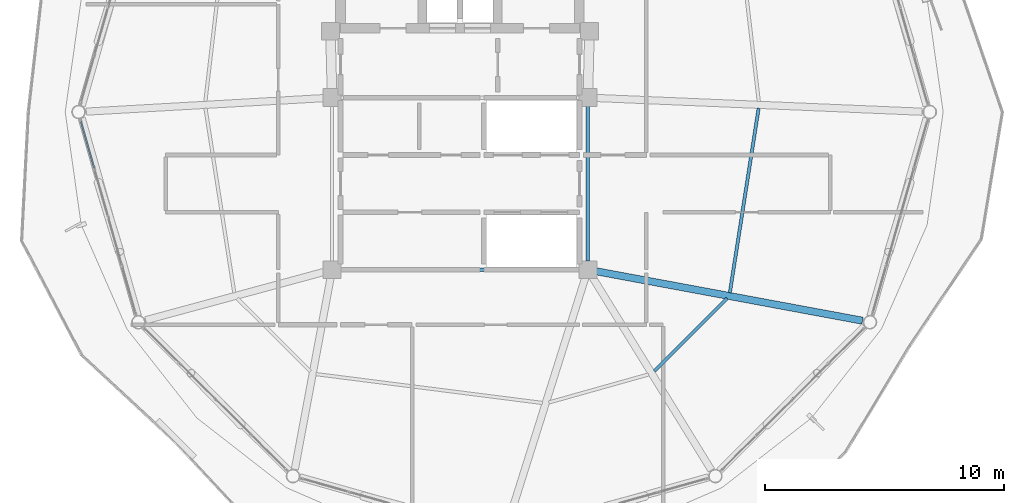
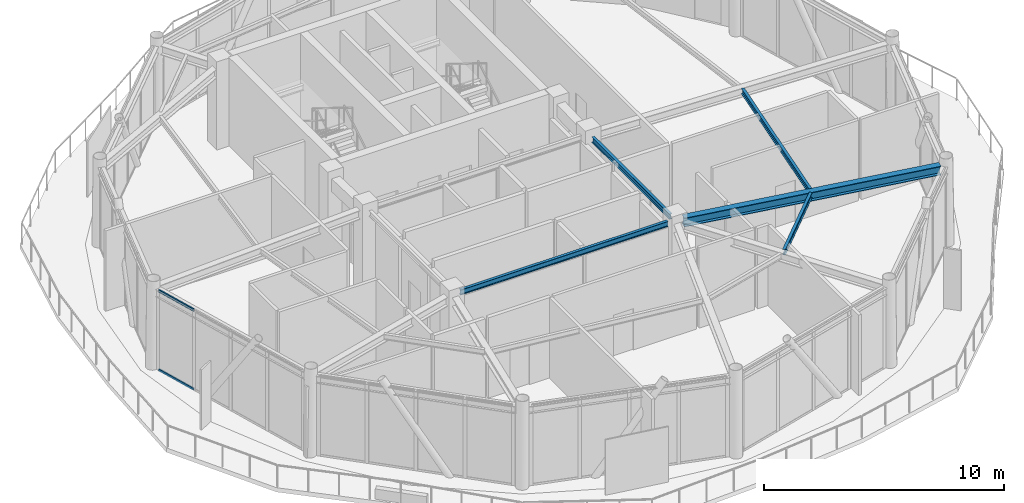
# One storey, part 9 of 24: 5 beams, 2 members, 1 element without a shape of its own.
"""IFC4 building model written with IfcOpenShell, lengths in metres."""

from ifc_helpers import new_model, si_unit, direction, frame, origin, origin_2d, place, context, subcontext, project, spatial, hollow_rectangle, i_section, extrude, material, layer, layer_set, material_profile, profile_set, type_object, element, aggregate, save


model = new_model("IFC4")

# Units and contexts
model_context = context("Model", 3, precision=1e-05, world=origin(), true_north=direction((0.0, 1.0)))
body_context = subcontext(model_context, "Body", "Model", "MODEL_VIEW")
ifc_project = project(units=[si_unit("LENGTHUNIT", "METRE"), si_unit("AREAUNIT", "SQUARE_METRE"), si_unit("VOLUMEUNIT", "CUBIC_METRE"), si_unit("PLANEANGLEUNIT", "RADIAN"), si_unit("MASSUNIT", "GRAM", prefix="KILO")], contexts=[model_context])

# Site, building, storey
site_placement = place(None, origin())
site = spatial("IfcSite", under=ifc_project, at=site_placement, CompositionType="ELEMENT")
building_placement = place(site_placement, origin())
building = spatial("IfcBuilding", under=site, at=building_placement, Name="Varnakorn Sky Granary", CompositionType="ELEMENT")
storey_placement = place(building_placement, frame((0.0, 0.0, 285.0)))
storey = spatial("IfcBuildingStorey", under=building, at=storey_placement, Name="L73", CompositionType="ELEMENT", Elevation=285.0)

# Beams
ifc_material_1 = material(Name="Steel S355JR", Category="steel")
ifc_material_profile_1 = material_profile(ifc_material_1, i_section(OverallWidth=0.300048828125, OverallDepth=0.449951171875, WebThickness=0.013916015625, FlangeThickness=0.02587890625, at=origin_2d()), Name="HE 450 B")
ifc_profile_set_1 = profile_set([ifc_material_profile_1], Name="Steel S355JR")
beam_type_1 = type_object("IfcBeamType", Name="BM-RAD-Z5", PredefinedType="BEAM", material=ifc_profile_set_1)
beam_1_placement = place(storey_placement, frame((8.698974609375, -6.664794921875, 3.85498046875), z_axis=(0.983198786644, -0.182538067105, 0.0), x_axis=(0.182538067105, 0.983198786644, 0.0)))
element("IfcBeam", 1, at=beam_1_placement, inside=storey, type_object=beam_type_1, Name="Radial Floor Girder RG12 L73", PredefinedType="BEAM", context=body_context, shape_type="SweptSolid", body=[
    extrude(i_section(OverallWidth=0.300048828125, OverallDepth=0.449951171875, WebThickness=0.013916015625, FlangeThickness=0.02587890625, at=origin_2d()), origin(), (0.0, 0.0, 1.0), 11.33642578125),
])
ifc_material_profile_2 = material_profile(ifc_material_1, i_section(OverallWidth=0.135009765625, OverallDepth=0.27001953125, WebThickness=0.006591796875, FlangeThickness=0.01025390625, at=origin_2d()), Name="IPE 270")
ifc_profile_set_2 = profile_set([ifc_material_profile_2], Name="Steel S355JR")
beam_type_2 = type_object("IfcBeamType", Name="BM-SEC-Z5", PredefinedType="BEAM", material=ifc_profile_set_2)
beam_2_placement = place(storey_placement, frame((11.12646484375, -10.84521484375, 3.945068359375), z_axis=(0.707106781187, 0.707106781187, 0.0), x_axis=(-0.707106781187, 0.707106781187, 0.0)))
element("IfcBeam", 2, at=beam_2_placement, inside=storey, type_object=beam_type_2, Name="Secondary Floor Chord Beam MSB11 L73", PredefinedType="BEAM", context=body_context, shape_type="SweptSolid", body=[
    extrude(i_section(OverallWidth=0.135009765625, OverallDepth=0.27001953125, WebThickness=0.006591796875, FlangeThickness=0.01025390625, at=origin_2d()), origin(), (0.0, 0.0, 1.0), 4.30859375),
])
beam_3_placement = place(storey_placement, frame((14.29345703125, -7.561279296875, 3.945068359375), z_axis=(0.154207239623, 0.988038525184, 0.0), x_axis=(-0.988038525184, 0.154207239623, 0.0)))
element("IfcBeam", 3, at=beam_3_placement, inside=storey, type_object=beam_type_2, Name="Secondary Floor Chord Beam MSB12 L73", PredefinedType="BEAM", context=body_context, shape_type="SweptSolid", body=[
    extrude(i_section(OverallWidth=0.135009765625, OverallDepth=0.27001953125, WebThickness=0.006591796875, FlangeThickness=0.01025390625, at=origin_2d()), origin(), (0.0, 0.0, 1.0), 7.814697265625),
])
beam_4_placement = place(storey_placement, frame((8.35009765625, 0.2451171875, 3.945068359375), z_axis=(0.0, -1.0, 0.0), x_axis=(1.0, 0.0, 0.0)))
element("IfcBeam", 4, at=beam_4_placement, inside=storey, type_object=beam_type_2, Name="Core Spine Framing Beam 4 L73", PredefinedType="BEAM", context=body_context, shape_type="SweptSolid", body=[
    extrude(i_section(OverallWidth=0.135009765625, OverallDepth=0.27001953125, WebThickness=0.006591796875, FlangeThickness=0.01025390625, at=origin_2d()), origin(), (0.0, 0.0, 1.0), 6.490234375),
])
beam_5_placement = place(storey_placement, frame((-1.9951171875, -6.60009765625, 3.945068359375), z_axis=(1.0, 0.0, 0.0), x_axis=(0.0, 1.0, 0.0)))
element("IfcBeam", 5, at=beam_5_placement, inside=storey, type_object=beam_type_2, Name="Core Spine Framing Beam 6 L73", PredefinedType="BEAM", context=body_context, shape_type="SweptSolid", body=[
    extrude(i_section(OverallWidth=0.135009765625, OverallDepth=0.27001953125, WebThickness=0.006591796875, FlangeThickness=0.01025390625, at=origin_2d()), origin(), (0.0, 0.0, 1.0), 9.990234375),
])

# Curtain wall, members
ifc_material_2 = material(Name="Anodised Bronze Aluminium Alloy 6063-T6", Category="aluminium")
ifc_layer = layer(ifc_material_2, 0.159912109375, Name="Anodised Bronze Aluminium Alloy 6063-T6")
ifc_layer_set = layer_set([ifc_layer], Name="Anodised Bronze Aluminium Alloy 6063-T6")
curtain_wall_type = type_object("IfcCurtainWallType", Name="CW-OFF-1", PredefinedType="USERDEFINED", material=ifc_layer_set)
curtain_wall_placement = place(storey_placement, origin())
curtain_wall = element("IfcCurtainWall", 6, at=curtain_wall_placement, inside=storey, type_object=curtain_wall_type, Name="Unitised Curtain Wall CW6 CW-L73-B07", ObjectType="CURTAIN WALL", PredefinedType="USERDEFINED")
ifc_material_profile_3 = material_profile(ifc_material_2, hollow_rectangle(XDim=0.06494140625, YDim=0.1201171875, WallThickness=0.00341796875, at=origin_2d()), Name="ALU TRAN 65x120")
ifc_profile_set_3 = profile_set([ifc_material_profile_3], Name="Anodised Bronze Aluminium Alloy 6063-T6")
member_type = type_object("IfcMemberType", Name="CW-OFF-1-TRAN", PredefinedType="USERDEFINED", material=ifc_profile_set_3)
member_1_placement = place(storey_placement, frame((-12.304443359375, -2.331787109375, 0.032470703125), z_axis=(-0.273747268146, 0.961801660002, 0.0), x_axis=(-0.961801660002, -0.273747268146, 0.0)))
member_1 = element("IfcMember", 7, at=member_1_placement, type_object=member_type, Name="CW6 transom 4.1", ObjectType="TRANSOM", PredefinedType="USERDEFINED", context=body_context, shape_type="SweptSolid", body=[
    extrude(hollow_rectangle(XDim=0.06494140625, YDim=0.1201171875, WallThickness=0.00341796875, at=origin_2d()), origin(), (0.0, 0.0, 1.0), 2.02001953125),
])
member_2_placement = place(storey_placement, frame((-12.304443359375, -2.331787109375, 4.047607421875), z_axis=(-0.273747268146, 0.961801660002, 0.0), x_axis=(-0.961801660002, -0.273747268146, 0.0)))
member_2 = element("IfcMember", 8, at=member_2_placement, type_object=member_type, Name="CW6 transom 4.2", ObjectType="TRANSOM", PredefinedType="USERDEFINED", context=body_context, shape_type="SweptSolid", body=[
    extrude(hollow_rectangle(XDim=0.06494140625, YDim=0.1201171875, WallThickness=0.00341796875, at=origin_2d()), origin(), (0.0, 0.0, 1.0), 2.02001953125),
])
aggregate(curtain_wall, [member_1, member_2])

save(model, "model.ifc")
